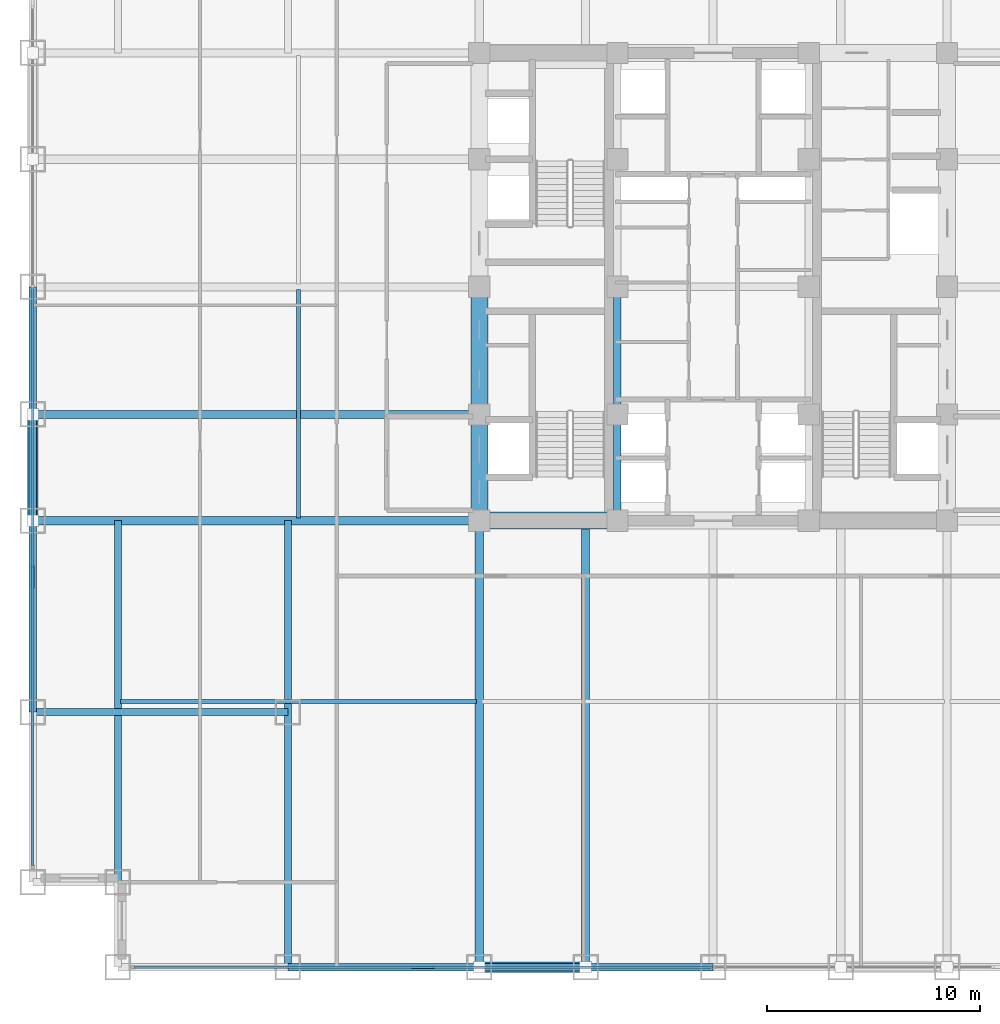
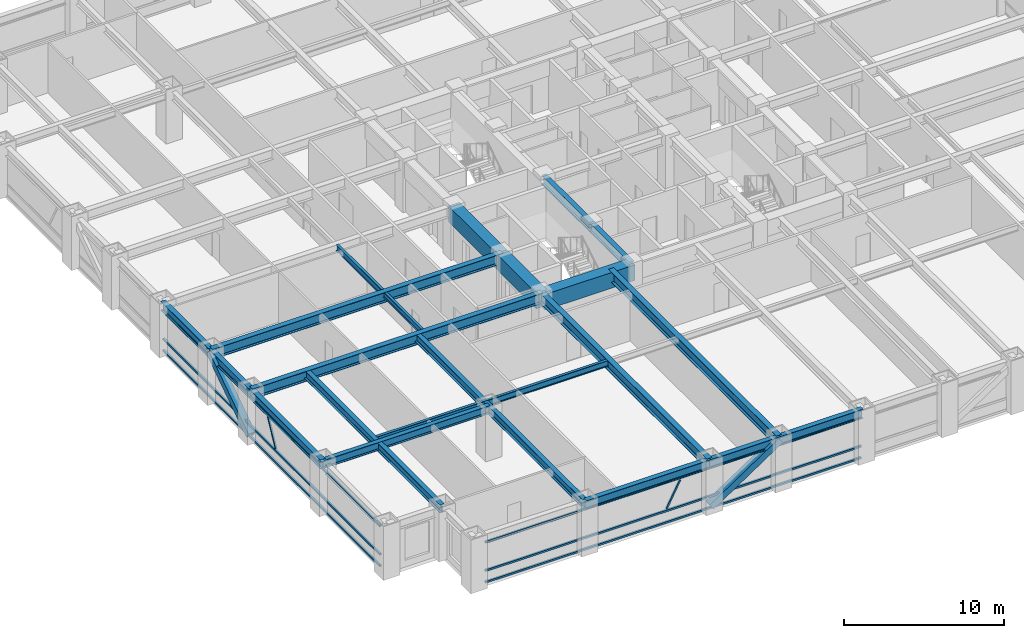
# One storey, part 3 of 27: 20 beams, 10 members, 2 elements without a shape of their own.
"""IFC4 building model written with IfcOpenShell, lengths in metres."""

import ifcopenshell
import ifcopenshell.guid

model = None  # the IFC model being written
_history = None  # IfcOwnerHistory: only IFC2X3 demands one
_inside = {}  # id of a spatial element -> (the spatial element, [elements in it])
_under = {}  # id of a project, library or spatial element -> (it, [spatial elements below it])
_declared = {}  # id of a project -> (the project, [libraries it declares])
_typed = {}  # id of a type object -> (the type object, [elements of that type])
_made_of = {}  # id of a material, layer set ... -> (it, [elements and type objects made of it])


def new_model(schema):
    """Start an empty IFC model of exactly this schema.

    Asked for "IFC4X3", IfcOpenShell would pick the latest addendum, in which some entities
    have other attributes; the version numbers below select the first issue.
    IFC2X3 requires an IfcOwnerHistory on every rooted entity: one is made here for all.
    """
    global model, _history
    if schema == "IFC4X3":
        model = ifcopenshell.file(schema_version=(4, 3, 0, 0))
    else:
        model = ifcopenshell.file(schema=schema)
    _inside.clear()
    _under.clear()
    _declared.clear()
    _typed.clear()
    _made_of.clear()
    _history = None
    if model.schema == "IFC2X3":
        org = make("IfcOrganization", Name="unknown")
        user = make(
            "IfcPersonAndOrganization",
            ThePerson=make("IfcPerson", FamilyName="unknown"),
            TheOrganization=org,
        )
        app = make(
            "IfcApplication",
            ApplicationDeveloper=org,
            Version="unknown",
            ApplicationFullName="unknown",
            ApplicationIdentifier="unknown",
        )
        _history = make(
            "IfcOwnerHistory",
            OwningUser=user,
            OwningApplication=app,
            ChangeAction="ADDED",
            CreationDate=0,
        )
    return model


def make(cls, **values):
    """One entity of the class cls with the attributes given. An attribute that is None is left unset."""
    return model.create_entity(
        cls, **{name: value for name, value in values.items() if value is not None}
    )


def rooted(cls, **values):
    """An entity with a GlobalId (a new one), such as an element, a storey or a relation."""
    return make(cls, GlobalId=ifcopenshell.guid.new(), OwnerHistory=_history, **values)


def si_unit(unit_type, name, prefix=None):
    """IfcSIUnit, for example si_unit("LENGTHUNIT", "METRE", prefix="MILLI")."""
    return make("IfcSIUnit", UnitType=unit_type, Prefix=prefix, Name=name)


def assignment(units):
    """IfcUnitAssignment: the units of a project."""
    return None if units is None else make("IfcUnitAssignment", Units=units)


def point(xyz):
    """IfcCartesianPoint."""
    return None if xyz is None else make("IfcCartesianPoint", Coordinates=xyz)


def direction(xyz):
    """IfcDirection."""
    return None if xyz is None else make("IfcDirection", DirectionRatios=xyz)


def frame(location, z_axis=None, x_axis=None):
    """IfcAxis2Placement3D, a coordinate frame: its origin and axes. An axis left out is left unset."""
    return make(
        "IfcAxis2Placement3D",
        Location=point(location),
        Axis=direction(z_axis),
        RefDirection=direction(x_axis),
    )


def frame_2d(location, x_axis=None):
    """IfcAxis2Placement2D, a coordinate frame in the plane: its origin and x axis."""
    return make(
        "IfcAxis2Placement2D", Location=point(location), RefDirection=direction(x_axis)
    )


def origin():
    """The frame at (0, 0, 0) with its axes left unset."""
    return frame((0.0, 0.0, 0.0))


def origin_2d():
    """The frame at (0, 0) in the plane with its x axis left unset."""
    return frame_2d((0.0, 0.0))


def place(relative_to, where):
    """IfcLocalPlacement: puts the frame where relative to a parent placement (None: the world)."""
    return make(
        "IfcLocalPlacement", PlacementRelTo=relative_to, RelativePlacement=where
    )


def context(
    kind, dimensions, precision=None, world=None, true_north=None, identifier=None
):
    """IfcGeometricRepresentationContext, for example the 3D "Model" context."""
    return make(
        "IfcGeometricRepresentationContext",
        ContextIdentifier=identifier,
        ContextType=kind,
        CoordinateSpaceDimension=dimensions,
        Precision=precision,
        WorldCoordinateSystem=world,
        TrueNorth=true_north,
    )


def subcontext(parent, identifier, kind, view, scale=None):
    """IfcGeometricRepresentationSubContext, for example "Body" below "Model"."""
    return make(
        "IfcGeometricRepresentationSubContext",
        ContextIdentifier=identifier,
        ContextType=kind,
        ParentContext=parent,
        TargetScale=scale,
        TargetView=view,
    )


def project(units=None, contexts=None):
    """IfcProject with its units and contexts."""
    return rooted(
        "IfcProject",
        Name="project",
        RepresentationContexts=contexts,
        UnitsInContext=assignment(units),
    )


def spatial(cls, under=None, at=None, **own):
    """A site, building, storey or space (cls), placed at a placement, below another one or the project."""
    s = rooted(cls, ObjectPlacement=at, **own)
    if under is not None:
        _under.setdefault(under.id(), (under, []))[1].append(s)
    return s


def profile(cls, at=None, kind="AREA", **sizes):
    """A parametric profile (cls). Its sizes go by their IFC names, for example OverallWidth=200.0."""
    return make(cls, ProfileType=kind, Position=at, **sizes)


def rectangle(**sizes):
    """IfcRectangleProfileDef."""
    return profile("IfcRectangleProfileDef", **sizes)


def hollow_rectangle(**sizes):
    """IfcRectangleHollowProfileDef."""
    return profile("IfcRectangleHollowProfileDef", **sizes)


def i_section(**sizes):
    """IfcIShapeProfileDef."""
    return profile("IfcIShapeProfileDef", **sizes)


def extrude(swept, where, along, depth):
    """IfcExtrudedAreaSolid: the profile swept, set in the frame where, extruded along a direction by depth."""
    return make(
        "IfcExtrudedAreaSolid",
        SweptArea=swept,
        Position=where,
        ExtrudedDirection=direction(along),
        Depth=depth,
    )


def shape(context_of_items, identifier, shape_type, items):
    """IfcShapeRepresentation: the items that make up one representation, for example the "Body"."""
    return make(
        "IfcShapeRepresentation",
        ContextOfItems=context_of_items,
        RepresentationIdentifier=identifier,
        RepresentationType=shape_type,
        Items=items,
    )


def source(mapping_origin, context_of_items, identifier, shape_type, items):
    """IfcRepresentationMap: a shape defined once, which mapped items show again and again."""
    return make(
        "IfcRepresentationMap",
        MappingOrigin=mapping_origin,
        MappedRepresentation=shape(context_of_items, identifier, shape_type, items),
    )


def transform(
    local_origin,
    x_axis=None,
    y_axis=None,
    z_axis=None,
    scale=None,
    scale2=None,
    scale3=None,
    uniform=True,
):
    """IfcCartesianTransformationOperator3D, or its non-uniform kind. x_axis, y_axis, z_axis: its Axis1, 2, 3."""
    if uniform:
        return make(
            "IfcCartesianTransformationOperator3D",
            Axis1=direction(x_axis),
            Axis2=direction(y_axis),
            LocalOrigin=point(local_origin),
            Scale=scale,
            Axis3=direction(z_axis),
        )
    return make(
        "IfcCartesianTransformationOperator3DnonUniform",
        Axis1=direction(x_axis),
        Axis2=direction(y_axis),
        LocalOrigin=point(local_origin),
        Scale=scale,
        Axis3=direction(z_axis),
        Scale2=scale2,
        Scale3=scale3,
    )


def mapped(mapping_source, mapping_target):
    """IfcMappedItem: shows the shape of a source again, moved by a transform."""
    return make(
        "IfcMappedItem", MappingSource=mapping_source, MappingTarget=mapping_target
    )


def material(Name=None, Category=None):
    """IfcMaterial."""
    return make("IfcMaterial", Name=Name, Category=Category)


def material_profile(
    of_material, cross_section, Name=None, Category=None, Priority=None
):
    """IfcMaterialProfile: a cross section and its material."""
    return make(
        "IfcMaterialProfile",
        Name=Name,
        Material=of_material,
        Profile=cross_section,
        Priority=Priority,
        Category=Category,
    )


def profile_set(profiles, Name=None, composite=None):
    """IfcMaterialProfileSet."""
    return make(
        "IfcMaterialProfileSet",
        Name=Name,
        MaterialProfiles=profiles,
        CompositeProfile=composite,
    )


def made_of(thing, what):
    """Note that an element or type object is made of a material, layer set ...; save() writes the relation."""
    if what is not None:
        _made_of.setdefault(what.id(), (what, []))[1].append(thing)
    return thing


def type_object(cls, material=None, **own):
    """A type object (cls), such as IfcWallType, which elements share."""
    return made_of(rooted(cls, **own), material)


def element(
    cls,
    number,
    at=None,
    inside=None,
    cuts=None,
    type_object=None,
    material=None,
    context=None,
    identifier="Body",
    shape_type=None,
    held_by="IfcProductDefinitionShape",
    body=None,
    shapes=None,
    **own,
):
    """One element of the class cls, such as IfcWall. Its Tag is "e" and its number.

    at: its placement. inside: the storey or other place that contains it. cuts: it is an
    opening in that element (IfcRelVoidsElement). A single representation is given by context,
    identifier, shape_type and body (its items); several are given by shapes. held_by: the class
    of the entity that holds the representations. save() writes the other relations.
    """
    e = rooted(cls, Tag="e%d" % number, ObjectPlacement=at, **own)
    if body is not None:
        shapes = [shape(context, identifier, shape_type, body)]
    if shapes is not None:
        e.Representation = make(held_by, Representations=shapes)
    if inside is not None:
        _inside.setdefault(inside.id(), (inside, []))[1].append(e)
    if cuts is not None:
        rooted(
            "IfcRelVoidsElement", RelatingBuildingElement=cuts, RelatedOpeningElement=e
        )
    if type_object is not None:
        _typed.setdefault(type_object.id(), (type_object, []))[1].append(e)
    return made_of(e, material)


def aggregate(whole, parts):
    """IfcRelAggregates: a whole, such as a stair, and the parts it consists of."""
    return rooted("IfcRelAggregates", RelatingObject=whole, RelatedObjects=parts)


def save(model, path):
    """Write the relations noted so far, then the file.

    IfcRelAggregates (storeys below a building ...), IfcRelContainedInSpatialStructure (elements
    in a storey), IfcRelDefinesByType, IfcRelAssociatesMaterial and IfcRelDeclares: one each for
    every whole, place, type object, material and project.
    """
    for whole, parts in _under.values():
        aggregate(whole, parts)
    for where, things in _inside.values():
        rooted(
            "IfcRelContainedInSpatialStructure",
            RelatedElements=things,
            RelatingStructure=where,
        )
    for kind, things in _typed.values():
        rooted("IfcRelDefinesByType", RelatedObjects=things, RelatingType=kind)
    for what, things in _made_of.values():
        rooted("IfcRelAssociatesMaterial", RelatedObjects=things, RelatingMaterial=what)
    for by, libraries in _declared.values():
        rooted("IfcRelDeclares", RelatingContext=by, RelatedDefinitions=libraries)
    model.write(path)


model = new_model("IFC4")

# Units and contexts
model_context = context("Model", 3, precision=1e-05, world=origin(), true_north=direction((0.0, 1.0)))
body_context = subcontext(model_context, "Body", "Model", "MODEL_VIEW")
ifc_project = project(units=[si_unit("LENGTHUNIT", "METRE"), si_unit("AREAUNIT", "SQUARE_METRE"), si_unit("VOLUMEUNIT", "CUBIC_METRE"), si_unit("PLANEANGLEUNIT", "RADIAN"), si_unit("MASSUNIT", "GRAM", prefix="KILO")], contexts=[model_context])

# Site, building, storey
site_placement = place(None, origin())
site = spatial("IfcSite", under=ifc_project, at=site_placement, CompositionType="ELEMENT")
building_placement = place(site_placement, origin())
building = spatial("IfcBuilding", under=site, at=building_placement, Name="Khorayat Bourse Tower", CompositionType="ELEMENT")
storey_placement = place(building_placement, frame((0.0, 0.0, 103.699951171875)))
storey = spatial("IfcBuildingStorey", under=building, at=storey_placement, Name="L23", CompositionType="ELEMENT", Elevation=103.699951171875)

# Beams
ifc_material_1 = material(Name="Concrete C72/90", Category="concrete")
ifc_material_profile_1 = material_profile(ifc_material_1, rectangle(XDim=0.800048828125, YDim=1.199951171875, at=origin_2d()), Name="RC 800x1200")
ifc_profile_set_1 = profile_set([ifc_material_profile_1], Name="Concrete C72/90")
beam_type_1 = type_object("IfcBeamType", Name="BM-COUP-1200", PredefinedType="BEAM", material=ifc_profile_set_1)
shared_shape_1 = source(origin(), body_context, "Body", "SweptSolid", [
    extrude(rectangle(XDim=0.800048828125, YDim=1.199951171875, at=origin_2d()), origin(), (0.0, 0.0, 1.0), 5.0),
])
beam_1_placement = place(storey_placement, frame((-11.0, -11.0, 3.239990234375), z_axis=(0.0, 1.0, 0.0), x_axis=(-1.0, 0.0, 0.0)))
element("IfcBeam", 1, at=beam_1_placement, inside=storey, type_object=beam_type_1, Name="L23 BM-COUP-1200 BM-L23-CRX-01", PredefinedType="BEAM", context=body_context, shape_type="MappedRepresentation", body=[
    mapped(shared_shape_1, transform((0.0, 0.0, 0.0), scale=1.0)),
])
shared_shape_2 = source(origin(), body_context, "Body", "SweptSolid", [
    extrude(rectangle(XDim=0.800048828125, YDim=1.199951171875, at=origin_2d()), origin(), (0.0, 0.0, 1.0), 6.0),
])
beam_2_placement = place(storey_placement, frame((-11.0, -6.0, 3.239990234375), z_axis=(0.0, 1.0, 0.0), x_axis=(-1.0, 0.0, 0.0)))
element("IfcBeam", 2, at=beam_2_placement, inside=storey, type_object=beam_type_1, Name="L23 BM-COUP-1200 BM-L23-CRX-02", PredefinedType="BEAM", context=body_context, shape_type="MappedRepresentation", body=[
    mapped(shared_shape_2, transform((0.0, 0.0, 0.0), scale=1.0)),
])
ifc_material_2 = material(Name="Steel ASTM A992 Grade 50", Category="steel")
ifc_material_profile_2 = material_profile(ifc_material_2, i_section(OverallWidth=0.35498046875, OverallDepth=0.695068359375, WebThickness=0.015380859375, FlangeThickness=0.02490234375, FilletRadius=0.01806640625, at=origin_2d()), Name="W690X217")
ifc_profile_set_2 = profile_set([ifc_material_profile_2], Name="Steel ASTM A992 Grade 50")
beam_type_2 = type_object("IfcBeamType", Name="BM-GIRD-690", PredefinedType="BEAM", material=ifc_profile_set_2)
shared_shape_3 = source(origin(), body_context, "Body", "SweptSolid", [
    extrude(i_section(OverallWidth=0.35498046875, OverallDepth=0.695068359375, WebThickness=0.015380859375, FlangeThickness=0.02490234375, FilletRadius=0.01806640625, at=origin_2d()), origin(), (0.0, 0.0, 1.0), 5.0),
])
beam_3_placement = place(storey_placement, frame((-4.5, -11.0, 3.492431640625), z_axis=(0.0, 1.0, 0.0), x_axis=(-1.0, 0.0, 0.0)))
element("IfcBeam", 3, at=beam_3_placement, inside=storey, type_object=beam_type_2, Name="L23 BM-GIRD-690 BM-L23-CRX-05", PredefinedType="BEAM", context=body_context, shape_type="MappedRepresentation", body=[
    mapped(shared_shape_3, transform((0.0, 0.0, 0.0), scale=1.0)),
])
shared_shape_4 = source(origin(), body_context, "Body", "SweptSolid", [
    extrude(i_section(OverallWidth=0.35498046875, OverallDepth=0.695068359375, WebThickness=0.015380859375, FlangeThickness=0.02490234375, FilletRadius=0.01806640625, at=origin_2d()), origin(), (0.0, 0.0, 1.0), 6.0),
])
beam_4_placement = place(storey_placement, frame((-4.5, -6.0, 3.492431640625), z_axis=(0.0, 1.0, 0.0), x_axis=(-1.0, 0.0, 0.0)))
element("IfcBeam", 4, at=beam_4_placement, inside=storey, type_object=beam_type_2, Name="L23 BM-GIRD-690 BM-L23-CRX-06", PredefinedType="BEAM", context=body_context, shape_type="MappedRepresentation", body=[
    mapped(shared_shape_4, transform((0.0, 0.0, 0.0), scale=1.0)),
])
shared_shape_5 = source(origin(), body_context, "Body", "SweptSolid", [
    extrude(rectangle(XDim=0.800048828125, YDim=1.199951171875, at=origin_2d()), origin(), (0.0, 0.0, 1.0), 6.5),
])
beam_5_placement = place(storey_placement, frame((-11.0, -11.0, 3.239990234375), z_axis=(1.0, 0.0, 0.0), x_axis=(0.0, 1.0, 0.0)))
element("IfcBeam", 5, at=beam_5_placement, inside=storey, type_object=beam_type_1, Name="L23 BM-COUP-1200 BM-L23-CRY-17", PredefinedType="BEAM", context=body_context, shape_type="MappedRepresentation", body=[
    mapped(shared_shape_5, transform((0.0, 0.0, 0.0), scale=1.0)),
])
ifc_material_profile_3 = material_profile(ifc_material_2, i_section(OverallWidth=0.35498046875, OverallDepth=0.695068359375, WebThickness=0.015380859375, FlangeThickness=0.02490234375, FilletRadius=0.01806640625, at=origin_2d()), Name="W690X217")
ifc_profile_set_3 = profile_set([ifc_material_profile_3], Name="Steel ASTM A992 Grade 50")
beam_type_3 = type_object("IfcBeamType", Name="BM-SPAN-690", PredefinedType="SPANDREL", material=ifc_profile_set_3)
shared_shape_6 = source(origin(), body_context, "Body", "SweptSolid", [
    extrude(i_section(OverallWidth=0.35498046875, OverallDepth=0.695068359375, WebThickness=0.015380859375, FlangeThickness=0.02490234375, FilletRadius=0.01806640625, at=origin_2d()), origin(), (0.0, 0.0, 1.0), 9.0),
])
for number, where, z_axis, x_axis, name in (
    (6, (-20.0, -32.0, 3.492431640625), (1.0, 0.0, 0.0), (0.0, 1.0, 0.0), "L23 BM-SPAN-690 BM-L23-SPN-025"),
    (7, (-32.0, -20.0, 3.492431640625), (0.0, 1.0, 0.0), (-1.0, 0.0, 0.0), "L23 BM-SPAN-690 BM-L23-SPN-060"),
):
    element("IfcBeam", number, at=place(storey_placement, frame(where, z_axis=z_axis, x_axis=x_axis)), inside=storey, type_object=beam_type_3, Name=name, PredefinedType="SPANDREL", context=body_context, shape_type="MappedRepresentation", body=[
        mapped(shared_shape_6, transform((0.0, 0.0, 0.0), scale=1.0)),
    ])
shared_shape_7 = source(origin(), body_context, "Body", "SweptSolid", [
    extrude(i_section(OverallWidth=0.35498046875, OverallDepth=0.695068359375, WebThickness=0.015380859375, FlangeThickness=0.02490234375, FilletRadius=0.01806640625, at=origin_2d()), origin(), (0.0, 0.0, 1.0), 5.0),
])
for number, where, z_axis, x_axis, name in (
    (8, (-11.0, -32.0, 3.492431640625), (1.0, 0.0, 0.0), (0.0, 1.0, 0.0), "L23 BM-SPAN-690 BM-L23-SPN-026"),
    (9, (-32.0, -11.0, 3.492431640625), (0.0, 1.0, 0.0), (-1.0, 0.0, 0.0), "L23 BM-SPAN-690 BM-L23-SPN-059"),
):
    element("IfcBeam", number, at=place(storey_placement, frame(where, z_axis=z_axis, x_axis=x_axis)), inside=storey, type_object=beam_type_3, Name=name, PredefinedType="SPANDREL", context=body_context, shape_type="MappedRepresentation", body=[
        mapped(shared_shape_7, transform((0.0, 0.0, 0.0), scale=1.0)),
    ])
shared_shape_8 = source(origin(), body_context, "Body", "SweptSolid", [
    extrude(i_section(OverallWidth=0.35498046875, OverallDepth=0.695068359375, WebThickness=0.015380859375, FlangeThickness=0.02490234375, FilletRadius=0.01806640625, at=origin_2d()), origin(), (0.0, 0.0, 1.0), 6.0),
])
for number, where, z_axis, x_axis, name in (
    (10, (-6.0, -32.0, 3.492431640625), (1.0, 0.0, 0.0), (0.0, 1.0, 0.0), "L23 BM-SPAN-690 BM-L23-SPN-027"),
    (11, (-32.0, -6.0, 3.492431640625), (0.0, 1.0, 0.0), (-1.0, 0.0, 0.0), "L23 BM-SPAN-690 BM-L23-SPN-058"),
):
    element("IfcBeam", number, at=place(storey_placement, frame(where, z_axis=z_axis, x_axis=x_axis)), inside=storey, type_object=beam_type_3, Name=name, PredefinedType="SPANDREL", context=body_context, shape_type="MappedRepresentation", body=[
        mapped(shared_shape_8, transform((0.0, 0.0, 0.0), scale=1.0)),
    ])
ifc_material_profile_4 = material_profile(ifc_material_2, i_section(OverallWidth=0.324951171875, OverallDepth=0.615966796875, WebThickness=0.013916015625, FlangeThickness=0.021484375, FilletRadius=0.01611328125, at=origin_2d()), Name="W610X174")
ifc_profile_set_4 = profile_set([ifc_material_profile_4], Name="Steel ASTM A992 Grade 50")
beam_type_4 = type_object("IfcBeamType", Name="BM-GIRD-610", PredefinedType="BEAM", material=ifc_profile_set_4)
shared_shape_9 = source(origin(), body_context, "Body", "SweptSolid", [
    extrude(i_section(OverallWidth=0.324951171875, OverallDepth=0.615966796875, WebThickness=0.013916015625, FlangeThickness=0.021484375, FilletRadius=0.01611328125, at=origin_2d()), origin(), (0.0, 0.0, 1.0), 21.0),
])
beam_6_placement = place(storey_placement, frame((-20.0, -32.0, 3.531982421875), z_axis=(0.0, 1.0, 0.0), x_axis=(-1.0, 0.0, 0.0)))
element("IfcBeam", 12, at=beam_6_placement, inside=storey, type_object=beam_type_4, Name="L23 BM-GIRD-610 BM-L23-CNRY-084", PredefinedType="BEAM", context=body_context, shape_type="MappedRepresentation", body=[
    mapped(shared_shape_9, transform((0.0, 0.0, 0.0), scale=1.0)),
])
shared_shape_10 = source(origin(), body_context, "Body", "SweptSolid", [
    extrude(i_section(OverallWidth=0.324951171875, OverallDepth=0.615966796875, WebThickness=0.013916015625, FlangeThickness=0.021484375, FilletRadius=0.01611328125, at=origin_2d()), origin(), (0.0, 0.0, 1.0), 12.0),
])
beam_7_placement = place(storey_placement, frame((-32.0, -20.0, 3.531982421875), z_axis=(1.0, 0.0, 0.0), x_axis=(0.0, 1.0, 0.0)))
element("IfcBeam", 13, at=beam_7_placement, inside=storey, type_object=beam_type_4, Name="L23 BM-GIRD-610 BM-L23-CNRX-093", PredefinedType="BEAM", context=body_context, shape_type="MappedRepresentation", body=[
    mapped(shared_shape_10, transform((0.0, 0.0, 0.0), scale=1.0)),
])
ifc_material_profile_5 = material_profile(ifc_material_2, i_section(OverallWidth=0.194091796875, OverallDepth=0.468994140625, WebThickness=0.0126953125, FlangeThickness=0.0205078125, FilletRadius=0.012939453125, at=origin_2d()), Name="W460X106")
ifc_profile_set_5 = profile_set([ifc_material_profile_5], Name="Steel ASTM A992 Grade 50")
beam_type_5 = type_object("IfcBeamType", Name="BM-JOIST-460", PredefinedType="JOIST", material=ifc_profile_set_5)
shared_shape_11 = source(origin(), body_context, "Body", "SweptSolid", [
    extrude(i_section(OverallWidth=0.194091796875, OverallDepth=0.468994140625, WebThickness=0.0126953125, FlangeThickness=0.0205078125, FilletRadius=0.012939453125, at=origin_2d()), origin(), (0.0, 0.0, 1.0), 10.740234375),
])
beam_8_placement = place(storey_placement, frame((-19.5, -10.8701171875, 3.60546875), z_axis=(0.0, 1.0, 0.0), x_axis=(-1.0, 0.0, 0.0)))
element("IfcBeam", 14, at=beam_8_placement, inside=storey, type_object=beam_type_5, Name="L23 BM-JOIST-460 BM-L23-JSTY-102", PredefinedType="JOIST", context=body_context, shape_type="MappedRepresentation", body=[
    mapped(shared_shape_11, transform((0.0, 0.0, 0.0), scale=1.0)),
])
ifc_material_profile_6 = material_profile(ifc_material_2, i_section(OverallWidth=0.381103515625, OverallDepth=0.77294921875, WebThickness=0.0166015625, FlangeThickness=0.027587890625, FilletRadius=0.01806640625, at=origin_2d()), Name="W760X257")
ifc_profile_set_6 = profile_set([ifc_material_profile_6], Name="Steel ASTM A992 Grade 50")
beam_type_6 = type_object("IfcBeamType", Name="BM-GIRD-760", PredefinedType="BEAM", material=ifc_profile_set_6)
shared_shape_12 = source(origin(), body_context, "Body", "SweptSolid", [
    extrude(i_section(OverallWidth=0.381103515625, OverallDepth=0.77294921875, WebThickness=0.0166015625, FlangeThickness=0.027587890625, FilletRadius=0.01806640625, at=origin_2d()), origin(), (0.0, 0.0, 1.0), 21.0),
])
for number, where, z_axis, x_axis, name in (
    (15, (-11.0, -32.0, 3.45361328125), (0.0, 1.0, 0.0), (-1.0, 0.0, 0.0), "L23 BM-GIRD-760 BM-L23-RADY-065"),
    (16, (-6.0, -32.0, 3.45361328125), (0.0, 1.0, 0.0), (-1.0, 0.0, 0.0), "L23 BM-GIRD-760 BM-L23-RADY-067"),
    (17, (-32.0, -11.0, 3.45361328125), (1.0, 0.0, 0.0), (0.0, 1.0, 0.0), "L23 BM-GIRD-760 BM-L23-RADX-075"),
    (18, (-32.0, -6.0, 3.45361328125), (1.0, 0.0, 0.0), (0.0, 1.0, 0.0), "L23 BM-GIRD-760 BM-L23-RADX-077"),
):
    element("IfcBeam", number, at=place(storey_placement, frame(where, z_axis=z_axis, x_axis=x_axis)), inside=storey, type_object=beam_type_6, Name=name, PredefinedType="BEAM", context=body_context, shape_type="MappedRepresentation", body=[
        mapped(shared_shape_12, transform((0.0, 0.0, 0.0), scale=1.0)),
    ])
shared_shape_13 = source(origin(), body_context, "Body", "SweptSolid", [
    extrude(i_section(OverallWidth=0.324951171875, OverallDepth=0.615966796875, WebThickness=0.013916015625, FlangeThickness=0.021484375, FilletRadius=0.01611328125, at=origin_2d()), origin(), (0.0, 0.0, 1.0), 17.0),
])
beam_9_placement = place(storey_placement, frame((-28.0, -28.0, 3.531982421875), z_axis=(0.0, 1.0, 0.0), x_axis=(-1.0, 0.0, 0.0)))
element("IfcBeam", 19, at=beam_9_placement, inside=storey, type_object=beam_type_4, Name="L23 BM-GIRD-610 BM-L23-CNRY-088", PredefinedType="BEAM", context=body_context, shape_type="MappedRepresentation", body=[
    mapped(shared_shape_13, transform((0.0, 0.0, 0.0), scale=1.0)),
])
shared_shape_14 = source(origin(), body_context, "Body", "SweptSolid", [
    extrude(i_section(OverallWidth=0.194091796875, OverallDepth=0.468994140625, WebThickness=0.0126953125, FlangeThickness=0.0205078125, FilletRadius=0.012939453125, at=origin_2d()), origin(), (0.0, 0.0, 1.0), 16.740234375),
])
beam_10_placement = place(storey_placement, frame((-27.8701171875, -19.5, 3.60546875), z_axis=(1.0, 0.0, 0.0), x_axis=(0.0, 1.0, 0.0)))
element("IfcBeam", 20, at=beam_10_placement, inside=storey, type_object=beam_type_5, Name="L23 BM-JOIST-460 BM-L23-JSTX-096", PredefinedType="JOIST", context=body_context, shape_type="MappedRepresentation", body=[
    mapped(shared_shape_14, transform((0.0, 0.0, 0.0), scale=1.0)),
])

# Members
ifc_material_3 = material(Name="Steel EN 10025-4 S460M", Category="steel")
ifc_material_profile_7 = material_profile(ifc_material_3, hollow_rectangle(XDim=0.5, YDim=0.5, WallThickness=0.028076171875, at=origin_2d()), Name="HSS 500x500x28")
ifc_profile_set_7 = profile_set([ifc_material_profile_7], Name="Steel EN 10025-4 S460M")
member_type_1 = type_object("IfcMemberType", Name="MBR-TUBE-500", PredefinedType="BRACE", material=ifc_profile_set_7)
shared_shape_15 = source(origin(), body_context, "Body", "SweptSolid", [
    extrude(hollow_rectangle(XDim=0.5, YDim=0.5, WallThickness=0.028076171875, at=origin_2d()), origin(), (0.0, 0.0, 1.0), 6.012939453125),
])
for number, where, z_axis, x_axis, name in (
    (21, (-11.0, -32.0, 0.25), (0.831531473026, 0.0, 0.555477640745), (0.0, 1.0, 0.0), "L23 Perimeter Tube Brace 01"),
    (22, (-32.0, -11.0, 0.25), (0.0, 0.831531473026, 0.555477640745), (-1.0, 0.0, 0.0), "L23 Perimeter Tube Brace 05"),
):
    element("IfcMember", number, at=place(storey_placement, frame(where, z_axis=z_axis, x_axis=x_axis)), inside=storey, type_object=member_type_1, Name=name, PredefinedType="BRACE", context=body_context, shape_type="MappedRepresentation", body=[
        mapped(shared_shape_15, transform((0.0, 0.0, 0.0), scale=1.0)),
    ])

# Curtain wall, members
ifc_material_4 = material(Name="Aluminium EN AW-6063 T6", Category="aluminium")
curtain_wall_type = type_object("IfcCurtainWallType", Name="CW-SYS-02", PredefinedType="NOTDEFINED", material=ifc_material_4)
curtain_wall_1_placement = place(storey_placement, origin())
curtain_wall_1 = element("IfcCurtainWall", 23, at=curtain_wall_1_placement, inside=storey, type_object=curtain_wall_type, Name="L23 Curtain Wall CW-L23-S1", PredefinedType="NOTDEFINED")
ifc_material_profile_8 = material_profile(ifc_material_4, hollow_rectangle(XDim=0.139892578125, YDim=0.139892578125, WallThickness=0.006103515625, at=origin_2d()), Name="ALU 140x140x6")
ifc_profile_set_8 = profile_set([ifc_material_profile_8], Name="Aluminium EN AW-6063 T6")
member_type_2 = type_object("IfcMemberType", Name="CWT-HORZ-140", PredefinedType="USERDEFINED", material=ifc_profile_set_8)
shared_shape_16 = source(origin(), body_context, "Body", "SweptSolid", [
    extrude(hollow_rectangle(XDim=0.139892578125, YDim=0.139892578125, WallThickness=0.006103515625, at=origin_2d()), origin(), (0.0, 0.0, 1.0), 27.139892578125),
])
member_1_placement = place(storey_placement, frame((-27.2099609375, -32.0, 0.070068359375), z_axis=(1.0, 0.0, 0.0), x_axis=(0.0, 1.0, 0.0)))
member_1 = element("IfcMember", 24, at=member_1_placement, type_object=member_type_2, Name="CW-L23-S1 Horizontal Transom 1-1", ObjectType="TRANSOM", PredefinedType="USERDEFINED", context=body_context, shape_type="MappedRepresentation", body=[
    mapped(shared_shape_16, transform((0.0, 0.0, 0.0), scale=1.0)),
])
member_2_placement = place(storey_placement, frame((-27.2099609375, -32.0, 0.949951171875), z_axis=(1.0, 0.0, 0.0), x_axis=(0.0, 1.0, 0.0)))
member_2 = element("IfcMember", 25, at=member_2_placement, type_object=member_type_2, Name="CW-L23-S1 Horizontal Transom 1-2", ObjectType="TRANSOM", PredefinedType="USERDEFINED", context=body_context, shape_type="MappedRepresentation", body=[
    mapped(shared_shape_16, transform((0.0, 0.0, 0.0), scale=1.0)),
])
member_3_placement = place(storey_placement, frame((-27.2099609375, -32.0, 3.1201171875), z_axis=(1.0, 0.0, 0.0), x_axis=(0.0, 1.0, 0.0)))
member_3 = element("IfcMember", 26, at=member_3_placement, type_object=member_type_2, Name="CW-L23-S1 Horizontal Transom 1-3", ObjectType="TRANSOM", PredefinedType="USERDEFINED", context=body_context, shape_type="MappedRepresentation", body=[
    mapped(shared_shape_16, transform((0.0, 0.0, 0.0), scale=1.0)),
])

curtain_wall_2_placement = place(storey_placement, origin())
curtain_wall_2 = element("IfcCurtainWall", 27, at=curtain_wall_2_placement, inside=storey, type_object=curtain_wall_type, Name="L23 Curtain Wall CW-L23-W1", PredefinedType="NOTDEFINED")
member_4_placement = place(storey_placement, frame((-32.0, -27.2099609375, 0.070068359375), z_axis=(0.0, 1.0, 0.0), x_axis=(-1.0, 0.0, 0.0)))
member_4 = element("IfcMember", 28, at=member_4_placement, type_object=member_type_2, Name="CW-L23-W1 Horizontal Transom 1-1", ObjectType="TRANSOM", PredefinedType="USERDEFINED", context=body_context, shape_type="MappedRepresentation", body=[
    mapped(shared_shape_16, transform((0.0, 0.0, 0.0), scale=1.0)),
])
member_5_placement = place(storey_placement, frame((-32.0, -27.2099609375, 0.949951171875), z_axis=(0.0, 1.0, 0.0), x_axis=(-1.0, 0.0, 0.0)))
member_5 = element("IfcMember", 29, at=member_5_placement, type_object=member_type_2, Name="CW-L23-W1 Horizontal Transom 1-2", ObjectType="TRANSOM", PredefinedType="USERDEFINED", context=body_context, shape_type="MappedRepresentation", body=[
    mapped(shared_shape_16, transform((0.0, 0.0, 0.0), scale=1.0)),
])
member_6_placement = place(storey_placement, frame((-32.0, -27.2099609375, 3.1201171875), z_axis=(0.0, 1.0, 0.0), x_axis=(-1.0, 0.0, 0.0)))
member_6 = element("IfcMember", 30, at=member_6_placement, type_object=member_type_2, Name="CW-L23-W1 Horizontal Transom 1-3", ObjectType="TRANSOM", PredefinedType="USERDEFINED", context=body_context, shape_type="MappedRepresentation", body=[
    mapped(shared_shape_16, transform((0.0, 0.0, 0.0), scale=1.0)),
])

# Member
ifc_material_profile_9 = material_profile(ifc_material_4, hollow_rectangle(XDim=0.1201171875, YDim=0.1201171875, WallThickness=0.0048828125, at=origin_2d()), Name="ALU 120x120x5")
ifc_profile_set_9 = profile_set([ifc_material_profile_9], Name="Aluminium EN AW-6063 T6")
member_type_3 = type_object("IfcMemberType", Name="CWM-DIAG-120", PredefinedType="MULLION", material=ifc_profile_set_9)
shared_shape_17 = source(origin(), body_context, "Body", "SweptSolid", [
    extrude(hollow_rectangle(XDim=0.1201171875, YDim=0.1201171875, WallThickness=0.0048828125, at=origin_2d()), origin(), (0.0, 0.0, 1.0), 2.113037109375),
])
member_7_placement = place(storey_placement, frame((-14.132080078125, -32.0, 1.10009765625), z_axis=(0.465741670874, 0.0, 0.884920728659), x_axis=(0.0, 1.0, 0.0)))
member_7 = element("IfcMember", 31, at=member_7_placement, type_object=member_type_3, Name="CW-L23-S1 Faceted Diagonal Mullion 1", PredefinedType="MULLION", context=body_context, shape_type="MappedRepresentation", body=[
    mapped(shared_shape_17, transform((0.0, 0.0, 0.0), scale=1.0)),
])

aggregate(curtain_wall_1, [member_1, member_2, member_3, member_7])

member_8_placement = place(storey_placement, frame((-32.0, -14.132080078125, 1.10009765625), z_axis=(0.0, 0.465741670874, 0.884920728659), x_axis=(-1.0, 0.0, 0.0)))
member_8 = element("IfcMember", 32, at=member_8_placement, type_object=member_type_3, Name="CW-L23-W1 Faceted Diagonal Mullion 1", PredefinedType="MULLION", context=body_context, shape_type="MappedRepresentation", body=[
    mapped(shared_shape_17, transform((0.0, 0.0, 0.0), scale=1.0)),
])

aggregate(curtain_wall_2, [member_4, member_5, member_6, member_8])

save(model, "model.ifc")
